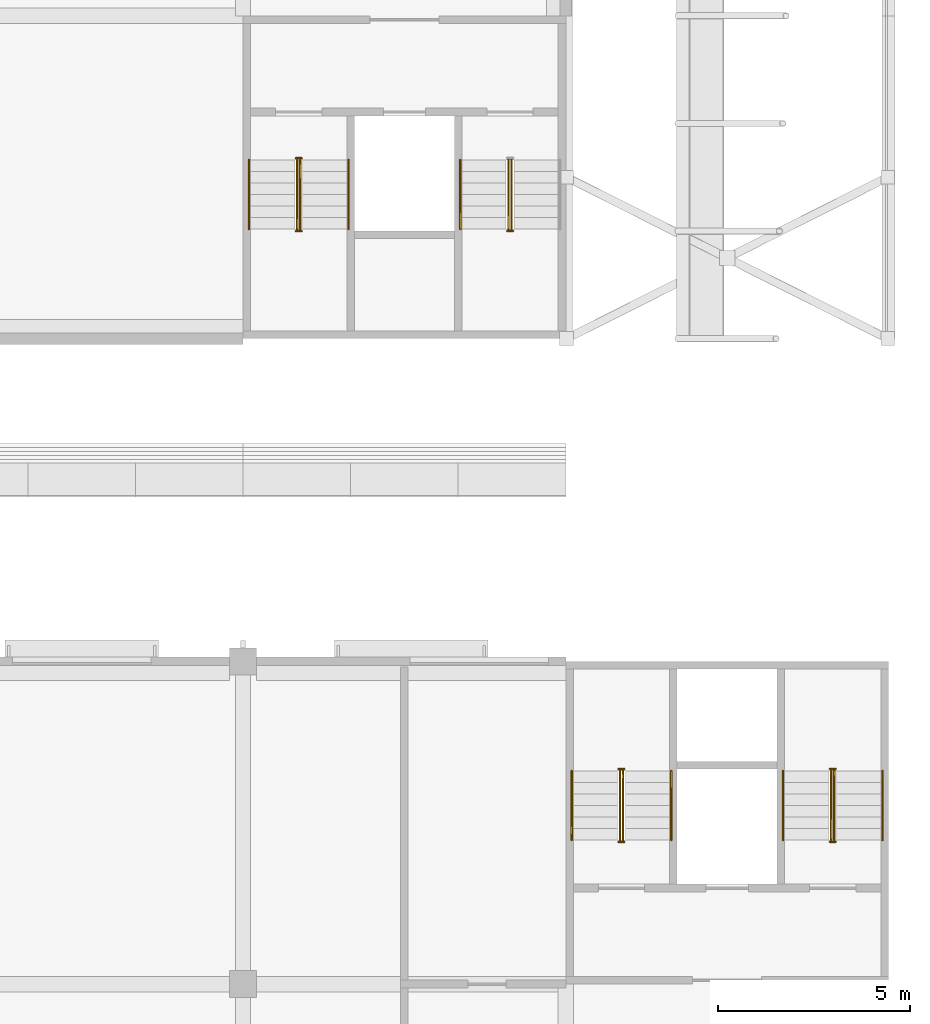
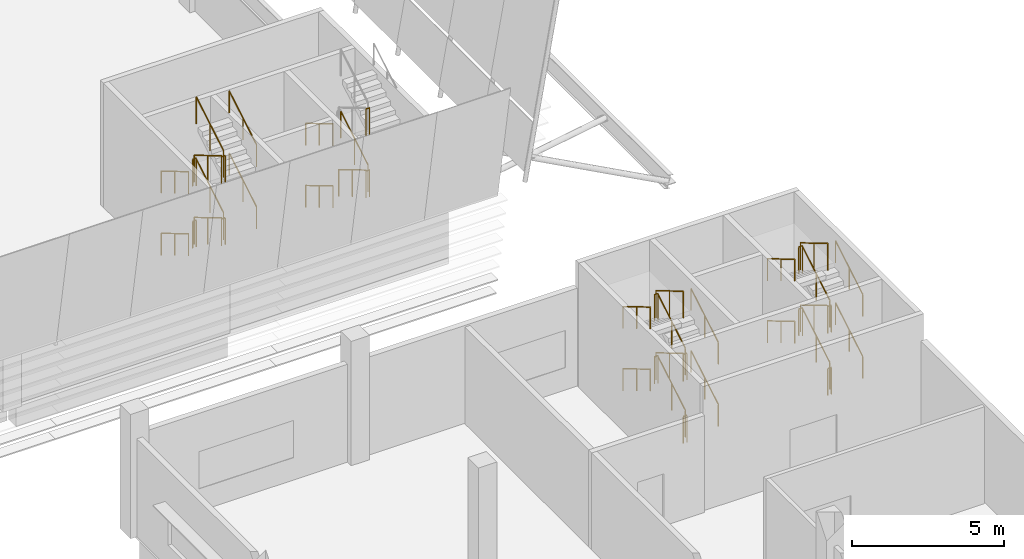
# One storey, part 77 of 82: 42 railings.
"""IFC4 building model written with IfcOpenShell, lengths in metres."""

from ifc_helpers import new_model, si_unit, direction, frame, origin, origin_2d, place, context, subcontext, project, spatial, circle, extrude, material, type_object, element, save


model = new_model("IFC4")

# Units and contexts
model_context = context("Model", 3, precision=1e-05, world=origin(), true_north=direction((0.0, 1.0)))
body_context = subcontext(model_context, "Body", "Model", "MODEL_VIEW")
ifc_project = project(units=[si_unit("LENGTHUNIT", "METRE"), si_unit("AREAUNIT", "SQUARE_METRE"), si_unit("VOLUMEUNIT", "CUBIC_METRE"), si_unit("PLANEANGLEUNIT", "RADIAN"), si_unit("MASSUNIT", "GRAM", prefix="KILO")], contexts=[model_context])

# Site, building, storey
site_placement = place(None, origin())
site = spatial("IfcSite", under=ifc_project, at=site_placement, CompositionType="ELEMENT")
building_placement = place(site_placement, origin())
building = spatial("IfcBuilding", under=site, at=building_placement, Name="Almond Square Museum", CompositionType="ELEMENT")
storey_placement = place(building_placement, frame((0.0, 0.0, 20.0)))
storey = spatial("IfcBuildingStorey", under=building, at=storey_placement, Name="L03", CompositionType="ELEMENT", Elevation=20.0)

# Railings
ifc_material_1 = material(Name="Stainless steel and laminated glass", Category="steel")
railing_type_1 = type_object("IfcRailingType", Name="Stair guard 1100 steel and glass", PredefinedType="GUARDRAIL", material=ifc_material_1)
railing_1_placement = place(storey_placement, frame((141.81005859375, 55.050048828125, 0.178466796875)))
element("IfcRailing", 1, at=railing_1_placement, inside=storey, type_object=railing_type_1, Name="L03 ST-03 stair guard 1", PredefinedType="GUARDRAIL", context=body_context, shape_type="SweptSolid", body=[
    extrude(circle(Radius=0.02392578125, at=origin_2d()), frame((0.0, 0.0, 1.076171875), z_axis=(0.0, -0.859277029364, 0.511510495305), x_axis=(1.0, 0.0, 0.0)), (0.0, 0.0, 1.0), 2.0947265625),
    extrude(circle(Radius=0.02099609375, at=origin_2d()), origin(), (0.0, 0.0, 1.0), 1.052001953125),
    extrude(circle(Radius=0.02099609375, at=origin_2d()), frame((0.0, -0.89990234375, 0.53564453125)), (0.0, 0.0, 1.0), 1.052001953125),
    extrude(circle(Radius=0.02099609375, at=origin_2d()), frame((0.0, -1.800048828125, 1.071533203125)), (0.0, 0.0, 1.0), 1.052001953125),
])
railing_2_placement = place(storey_placement, frame((141.780029296875, 53.199951171875, 1.25)))
element("IfcRailing", 2, at=railing_2_placement, inside=storey, type_object=railing_type_1, Name="L03 ST-03 stair guard 2", PredefinedType="GUARDRAIL", context=body_context, shape_type="SweptSolid", body=[
    extrude(circle(Radius=0.02392578125, at=origin_2d()), frame((0.0, 0.0, 1.076171875), z_axis=(1.0, 0.0, 0.0), x_axis=(0.0, 1.0, 0.0)), (0.0, 0.0, 1.0), 0.139892578125),
    extrude(circle(Radius=0.02099609375, at=origin_2d()), origin(), (0.0, 0.0, 1.0), 1.052001953125),
    extrude(circle(Radius=0.02099609375, at=origin_2d()), frame((0.139892578125, 0.0, 0.0)), (0.0, 0.0, 1.0), 1.052001953125),
])
railing_3_placement = place(storey_placement, frame((141.889892578125, 53.25, 1.428466796875)))
element("IfcRailing", 3, at=railing_3_placement, inside=storey, type_object=railing_type_1, Name="L03 ST-03 stair guard 3", PredefinedType="GUARDRAIL", context=body_context, shape_type="SweptSolid", body=[
    extrude(circle(Radius=0.02392578125, at=origin_2d()), frame((0.0, 0.0, 1.076171875), z_axis=(0.0, 0.859277029364, 0.511510495305), x_axis=(-1.0, 0.0, 0.0)), (0.0, 0.0, 1.0), 2.0947265625),
    extrude(circle(Radius=0.02099609375, at=origin_2d()), origin(), (0.0, 0.0, 1.0), 1.052001953125),
    extrude(circle(Radius=0.02099609375, at=origin_2d()), frame((0.0, 0.89990234375, 0.53564453125)), (0.0, 0.0, 1.0), 1.052001953125),
    extrude(circle(Radius=0.02099609375, at=origin_2d()), frame((0.0, 1.800048828125, 1.071533203125)), (0.0, 0.0, 1.0), 1.052001953125),
])
railing_4_placement = place(storey_placement, frame((141.780029296875, 55.10009765625, 2.5)))
element("IfcRailing", 4, at=railing_4_placement, inside=storey, type_object=railing_type_1, Name="L03 ST-03 stair guard 4", PredefinedType="GUARDRAIL", context=body_context, shape_type="SweptSolid", body=[
    extrude(circle(Radius=0.02392578125, at=origin_2d()), frame((0.0, 0.0, 1.076171875), z_axis=(1.0, 0.0, 0.0), x_axis=(0.0, 1.0, 0.0)), (0.0, 0.0, 1.0), 0.139892578125),
    extrude(circle(Radius=0.02099609375, at=origin_2d()), origin(), (0.0, 0.0, 1.0), 1.052001953125),
    extrude(circle(Radius=0.02099609375, at=origin_2d()), frame((0.139892578125, 0.0, 0.0)), (0.0, 0.0, 1.0), 1.052001953125),
])
railing_5_placement = place(storey_placement, frame((141.81005859375, 55.050048828125, 2.678466796875)))
element("IfcRailing", 5, at=railing_5_placement, inside=storey, type_object=railing_type_1, Name="L03 ST-03 stair guard 5", PredefinedType="GUARDRAIL", context=body_context, shape_type="SweptSolid", body=[
    extrude(circle(Radius=0.02392578125, at=origin_2d()), frame((0.0, 0.0, 1.076171875), z_axis=(0.0, -0.859277029364, 0.511510495305), x_axis=(1.0, 0.0, 0.0)), (0.0, 0.0, 1.0), 2.0947265625),
    extrude(circle(Radius=0.02099609375, at=origin_2d()), origin(), (0.0, 0.0, 1.0), 1.052001953125),
    extrude(circle(Radius=0.02099609375, at=origin_2d()), frame((0.0, -0.89990234375, 0.53564453125)), (0.0, 0.0, 1.0), 1.052001953125),
    extrude(circle(Radius=0.02099609375, at=origin_2d()), frame((0.0, -1.800048828125, 1.071533203125)), (0.0, 0.0, 1.0), 1.052001953125),
])
railing_6_placement = place(storey_placement, frame((141.780029296875, 53.199951171875, 3.75)))
element("IfcRailing", 6, at=railing_6_placement, inside=storey, type_object=railing_type_1, Name="L03 ST-03 stair guard 6", PredefinedType="GUARDRAIL", context=body_context, shape_type="SweptSolid", body=[
    extrude(circle(Radius=0.02392578125, at=origin_2d()), frame((0.0, 0.0, 1.076171875), z_axis=(1.0, 0.0, 0.0), x_axis=(0.0, 1.0, 0.0)), (0.0, 0.0, 1.0), 0.139892578125),
    extrude(circle(Radius=0.02099609375, at=origin_2d()), origin(), (0.0, 0.0, 1.0), 1.052001953125),
    extrude(circle(Radius=0.02099609375, at=origin_2d()), frame((0.139892578125, 0.0, 0.0)), (0.0, 0.0, 1.0), 1.052001953125),
])
railing_7_placement = place(storey_placement, frame((141.889892578125, 53.25, 3.928466796875)))
element("IfcRailing", 7, at=railing_7_placement, inside=storey, type_object=railing_type_1, Name="L03 ST-03 stair guard 7", PredefinedType="GUARDRAIL", context=body_context, shape_type="SweptSolid", body=[
    extrude(circle(Radius=0.02392578125, at=origin_2d()), frame((0.0, 0.0, 1.076171875), z_axis=(0.0, 0.859277029364, 0.511510495305), x_axis=(-1.0, 0.0, 0.0)), (0.0, 0.0, 1.0), 2.0947265625),
    extrude(circle(Radius=0.02099609375, at=origin_2d()), origin(), (0.0, 0.0, 1.0), 1.052001953125),
    extrude(circle(Radius=0.02099609375, at=origin_2d()), frame((0.0, 0.89990234375, 0.53564453125)), (0.0, 0.0, 1.0), 1.052001953125),
    extrude(circle(Radius=0.02099609375, at=origin_2d()), frame((0.0, 1.800048828125, 1.071533203125)), (0.0, 0.0, 1.0), 1.052001953125),
])
railing_8_placement = place(storey_placement, frame((141.780029296875, 55.10009765625, 0.0)))
element("IfcRailing", 8, at=railing_8_placement, inside=storey, type_object=railing_type_1, Name="L03 ST-03 stair guard 8", PredefinedType="GUARDRAIL", context=body_context, shape_type="SweptSolid", body=[
    extrude(circle(Radius=0.02392578125, at=origin_2d()), frame((0.0, 0.0, 1.076171875), z_axis=(1.0, 0.0, 0.0), x_axis=(0.0, 1.0, 0.0)), (0.0, 0.0, 1.0), 0.139892578125),
    extrude(circle(Radius=0.02099609375, at=origin_2d()), origin(), (0.0, 0.0, 1.0), 1.052001953125),
    extrude(circle(Radius=0.02099609375, at=origin_2d()), frame((0.139892578125, 0.0, 0.0)), (0.0, 0.0, 1.0), 1.052001953125),
])
railing_9_placement = place(storey_placement, frame((147.31005859375, 55.050048828125, 0.178466796875)))
element("IfcRailing", 9, at=railing_9_placement, inside=storey, type_object=railing_type_1, Name="L03 ST-04 stair guard 1", PredefinedType="GUARDRAIL", context=body_context, shape_type="SweptSolid", body=[
    extrude(circle(Radius=0.02392578125, at=origin_2d()), frame((0.0, 0.0, 1.076171875), z_axis=(0.0, -0.859277029364, 0.511510495305), x_axis=(1.0, 0.0, 0.0)), (0.0, 0.0, 1.0), 2.0947265625),
    extrude(circle(Radius=0.02099609375, at=origin_2d()), origin(), (0.0, 0.0, 1.0), 1.052001953125),
    extrude(circle(Radius=0.02099609375, at=origin_2d()), frame((0.0, -0.89990234375, 0.53564453125)), (0.0, 0.0, 1.0), 1.052001953125),
    extrude(circle(Radius=0.02099609375, at=origin_2d()), frame((0.0, -1.800048828125, 1.071533203125)), (0.0, 0.0, 1.0), 1.052001953125),
])
railing_10_placement = place(storey_placement, frame((147.280029296875, 53.199951171875, 1.25)))
element("IfcRailing", 10, at=railing_10_placement, inside=storey, type_object=railing_type_1, Name="L03 ST-04 stair guard 2", PredefinedType="GUARDRAIL", context=body_context, shape_type="SweptSolid", body=[
    extrude(circle(Radius=0.02392578125, at=origin_2d()), frame((0.0, 0.0, 1.076171875), z_axis=(1.0, 0.0, 0.0), x_axis=(0.0, 1.0, 0.0)), (0.0, 0.0, 1.0), 0.139892578125),
    extrude(circle(Radius=0.02099609375, at=origin_2d()), origin(), (0.0, 0.0, 1.0), 1.052001953125),
    extrude(circle(Radius=0.02099609375, at=origin_2d()), frame((0.139892578125, 0.0, 0.0)), (0.0, 0.0, 1.0), 1.052001953125),
])
railing_11_placement = place(storey_placement, frame((147.389892578125, 53.25, 1.428466796875)))
element("IfcRailing", 11, at=railing_11_placement, inside=storey, type_object=railing_type_1, Name="L03 ST-04 stair guard 3", PredefinedType="GUARDRAIL", context=body_context, shape_type="SweptSolid", body=[
    extrude(circle(Radius=0.02392578125, at=origin_2d()), frame((0.0, 0.0, 1.076171875), z_axis=(0.0, 0.859277029364, 0.511510495305), x_axis=(-1.0, 0.0, 0.0)), (0.0, 0.0, 1.0), 2.0947265625),
    extrude(circle(Radius=0.02099609375, at=origin_2d()), origin(), (0.0, 0.0, 1.0), 1.052001953125),
    extrude(circle(Radius=0.02099609375, at=origin_2d()), frame((0.0, 0.89990234375, 0.53564453125)), (0.0, 0.0, 1.0), 1.052001953125),
    extrude(circle(Radius=0.02099609375, at=origin_2d()), frame((0.0, 1.800048828125, 1.071533203125)), (0.0, 0.0, 1.0), 1.052001953125),
])
railing_12_placement = place(storey_placement, frame((147.280029296875, 53.199951171875, 3.75)))
element("IfcRailing", 12, at=railing_12_placement, inside=storey, type_object=railing_type_1, Name="L03 ST-04 stair guard 6", PredefinedType="GUARDRAIL", context=body_context, shape_type="SweptSolid", body=[
    extrude(circle(Radius=0.02392578125, at=origin_2d()), frame((0.0, 0.0, 1.076171875), z_axis=(1.0, 0.0, 0.0), x_axis=(0.0, 1.0, 0.0)), (0.0, 0.0, 1.0), 0.139892578125),
    extrude(circle(Radius=0.02099609375, at=origin_2d()), origin(), (0.0, 0.0, 1.0), 1.052001953125),
    extrude(circle(Radius=0.02099609375, at=origin_2d()), frame((0.139892578125, 0.0, 0.0)), (0.0, 0.0, 1.0), 1.052001953125),
])
railing_13_placement = place(storey_placement, frame((150.2900390625, 37.35009765625, 0.178466796875)))
element("IfcRailing", 13, at=railing_13_placement, inside=storey, type_object=railing_type_1, Name="L03 ST-33 stair guard 1", PredefinedType="GUARDRAIL", context=body_context, shape_type="SweptSolid", body=[
    extrude(circle(Radius=0.02392578125, at=origin_2d()), frame((0.0, 0.0, 1.076171875), z_axis=(0.0, 0.85924653193, 0.511561723907), x_axis=(-1.0, 0.0, 0.0)), (0.0, 0.0, 1.0), 2.0947265625),
    extrude(circle(Radius=0.02099609375, at=origin_2d()), origin(), (0.0, 0.0, 1.0), 1.052001953125),
    extrude(circle(Radius=0.02099609375, at=origin_2d()), frame((0.0, 0.89990234375, 0.53564453125)), (0.0, 0.0, 1.0), 1.052001953125),
    extrude(circle(Radius=0.02099609375, at=origin_2d()), frame((0.0, 1.7998046875, 1.071533203125)), (0.0, 0.0, 1.0), 1.052001953125),
])
railing_14_placement = place(storey_placement, frame((150.320068359375, 39.199951171875, 1.25)))
element("IfcRailing", 14, at=railing_14_placement, inside=storey, type_object=railing_type_1, Name="L03 ST-33 stair guard 2", PredefinedType="GUARDRAIL", context=body_context, shape_type="SweptSolid", body=[
    extrude(circle(Radius=0.02392578125, at=origin_2d()), frame((0.0, 0.0, 1.076171875), z_axis=(-1.0, 0.0, 0.0), x_axis=(0.0, -1.0, 0.0)), (0.0, 0.0, 1.0), 0.14013671875),
    extrude(circle(Radius=0.02099609375, at=origin_2d()), origin(), (0.0, 0.0, 1.0), 1.052001953125),
    extrude(circle(Radius=0.02099609375, at=origin_2d()), frame((-0.14013671875, 0.0, 0.0)), (0.0, 0.0, 1.0), 1.052001953125),
])
railing_15_placement = place(storey_placement, frame((150.2099609375, 39.14990234375, 1.428466796875)))
element("IfcRailing", 15, at=railing_15_placement, inside=storey, type_object=railing_type_1, Name="L03 ST-33 stair guard 3", PredefinedType="GUARDRAIL", context=body_context, shape_type="SweptSolid", body=[
    extrude(circle(Radius=0.02392578125, at=origin_2d()), frame((0.0, 0.0, 1.076171875), z_axis=(0.0, -0.85924653193, 0.511561723907), x_axis=(1.0, 0.0, 0.0)), (0.0, 0.0, 1.0), 2.0947265625),
    extrude(circle(Radius=0.02099609375, at=origin_2d()), origin(), (0.0, 0.0, 1.0), 1.052001953125),
    extrude(circle(Radius=0.02099609375, at=origin_2d()), frame((0.0, -0.89990234375, 0.53564453125)), (0.0, 0.0, 1.0), 1.052001953125),
    extrude(circle(Radius=0.02099609375, at=origin_2d()), frame((0.0, -1.7998046875, 1.071533203125)), (0.0, 0.0, 1.0), 1.052001953125),
])
railing_16_placement = place(storey_placement, frame((150.320068359375, 37.300048828125, 2.5)))
element("IfcRailing", 16, at=railing_16_placement, inside=storey, type_object=railing_type_1, Name="L03 ST-33 stair guard 4", PredefinedType="GUARDRAIL", context=body_context, shape_type="SweptSolid", body=[
    extrude(circle(Radius=0.02392578125, at=origin_2d()), frame((0.0, 0.0, 1.076171875), z_axis=(-1.0, 0.0, 0.0), x_axis=(0.0, -1.0, 0.0)), (0.0, 0.0, 1.0), 0.14013671875),
    extrude(circle(Radius=0.02099609375, at=origin_2d()), origin(), (0.0, 0.0, 1.0), 1.052001953125),
    extrude(circle(Radius=0.02099609375, at=origin_2d()), frame((-0.14013671875, 0.0, 0.0)), (0.0, 0.0, 1.0), 1.052001953125),
])
railing_17_placement = place(storey_placement, frame((150.2900390625, 37.35009765625, 2.678466796875)))
element("IfcRailing", 17, at=railing_17_placement, inside=storey, type_object=railing_type_1, Name="L03 ST-33 stair guard 5", PredefinedType="GUARDRAIL", context=body_context, shape_type="SweptSolid", body=[
    extrude(circle(Radius=0.02392578125, at=origin_2d()), frame((0.0, 0.0, 1.076171875), z_axis=(0.0, 0.85924653193, 0.511561723907), x_axis=(-1.0, 0.0, 0.0)), (0.0, 0.0, 1.0), 2.0947265625),
    extrude(circle(Radius=0.02099609375, at=origin_2d()), origin(), (0.0, 0.0, 1.0), 1.052001953125),
    extrude(circle(Radius=0.02099609375, at=origin_2d()), frame((0.0, 0.89990234375, 0.53564453125)), (0.0, 0.0, 1.0), 1.052001953125),
    extrude(circle(Radius=0.02099609375, at=origin_2d()), frame((0.0, 1.7998046875, 1.071533203125)), (0.0, 0.0, 1.0), 1.052001953125),
])
railing_18_placement = place(storey_placement, frame((150.320068359375, 39.199951171875, 3.75)))
element("IfcRailing", 18, at=railing_18_placement, inside=storey, type_object=railing_type_1, Name="L03 ST-33 stair guard 6", PredefinedType="GUARDRAIL", context=body_context, shape_type="SweptSolid", body=[
    extrude(circle(Radius=0.02392578125, at=origin_2d()), frame((0.0, 0.0, 1.076171875), z_axis=(-1.0, 0.0, 0.0), x_axis=(0.0, -1.0, 0.0)), (0.0, 0.0, 1.0), 0.14013671875),
    extrude(circle(Radius=0.02099609375, at=origin_2d()), origin(), (0.0, 0.0, 1.0), 1.052001953125),
    extrude(circle(Radius=0.02099609375, at=origin_2d()), frame((-0.14013671875, 0.0, 0.0)), (0.0, 0.0, 1.0), 1.052001953125),
])
railing_19_placement = place(storey_placement, frame((150.2099609375, 39.14990234375, 3.928466796875)))
element("IfcRailing", 19, at=railing_19_placement, inside=storey, type_object=railing_type_1, Name="L03 ST-33 stair guard 7", PredefinedType="GUARDRAIL", context=body_context, shape_type="SweptSolid", body=[
    extrude(circle(Radius=0.02392578125, at=origin_2d()), frame((0.0, 0.0, 1.076171875), z_axis=(0.0, -0.85924653193, 0.511561723907), x_axis=(1.0, 0.0, 0.0)), (0.0, 0.0, 1.0), 2.0947265625),
    extrude(circle(Radius=0.02099609375, at=origin_2d()), origin(), (0.0, 0.0, 1.0), 1.052001953125),
    extrude(circle(Radius=0.02099609375, at=origin_2d()), frame((0.0, -0.89990234375, 0.53564453125)), (0.0, 0.0, 1.0), 1.052001953125),
    extrude(circle(Radius=0.02099609375, at=origin_2d()), frame((0.0, -1.7998046875, 1.071533203125)), (0.0, 0.0, 1.0), 1.052001953125),
])
railing_20_placement = place(storey_placement, frame((150.320068359375, 37.300048828125, 0.0)))
element("IfcRailing", 20, at=railing_20_placement, inside=storey, type_object=railing_type_1, Name="L03 ST-33 stair guard 8", PredefinedType="GUARDRAIL", context=body_context, shape_type="SweptSolid", body=[
    extrude(circle(Radius=0.02392578125, at=origin_2d()), frame((0.0, 0.0, 1.076171875), z_axis=(-1.0, 0.0, 0.0), x_axis=(0.0, -1.0, 0.0)), (0.0, 0.0, 1.0), 0.14013671875),
    extrude(circle(Radius=0.02099609375, at=origin_2d()), origin(), (0.0, 0.0, 1.0), 1.052001953125),
    extrude(circle(Radius=0.02099609375, at=origin_2d()), frame((-0.14013671875, 0.0, 0.0)), (0.0, 0.0, 1.0), 1.052001953125),
])
railing_21_placement = place(storey_placement, frame((155.7900390625, 37.35009765625, 0.178466796875)))
element("IfcRailing", 21, at=railing_21_placement, inside=storey, type_object=railing_type_1, Name="L03 ST-34 stair guard 1", PredefinedType="GUARDRAIL", context=body_context, shape_type="SweptSolid", body=[
    extrude(circle(Radius=0.02392578125, at=origin_2d()), frame((0.0, 0.0, 1.076171875), z_axis=(0.0, 0.85924653193, 0.511561723907), x_axis=(-1.0, 0.0, 0.0)), (0.0, 0.0, 1.0), 2.0947265625),
    extrude(circle(Radius=0.02099609375, at=origin_2d()), origin(), (0.0, 0.0, 1.0), 1.052001953125),
    extrude(circle(Radius=0.02099609375, at=origin_2d()), frame((0.0, 0.89990234375, 0.53564453125)), (0.0, 0.0, 1.0), 1.052001953125),
    extrude(circle(Radius=0.02099609375, at=origin_2d()), frame((0.0, 1.7998046875, 1.071533203125)), (0.0, 0.0, 1.0), 1.052001953125),
])
railing_22_placement = place(storey_placement, frame((155.820068359375, 39.199951171875, 1.25)))
element("IfcRailing", 22, at=railing_22_placement, inside=storey, type_object=railing_type_1, Name="L03 ST-34 stair guard 2", PredefinedType="GUARDRAIL", context=body_context, shape_type="SweptSolid", body=[
    extrude(circle(Radius=0.02392578125, at=origin_2d()), frame((0.0, 0.0, 1.076171875), z_axis=(-1.0, 0.0, 0.0), x_axis=(0.0, -1.0, 0.0)), (0.0, 0.0, 1.0), 0.14013671875),
    extrude(circle(Radius=0.02099609375, at=origin_2d()), origin(), (0.0, 0.0, 1.0), 1.052001953125),
    extrude(circle(Radius=0.02099609375, at=origin_2d()), frame((-0.14013671875, 0.0, 0.0)), (0.0, 0.0, 1.0), 1.052001953125),
])
railing_23_placement = place(storey_placement, frame((155.7099609375, 39.14990234375, 1.428466796875)))
element("IfcRailing", 23, at=railing_23_placement, inside=storey, type_object=railing_type_1, Name="L03 ST-34 stair guard 3", PredefinedType="GUARDRAIL", context=body_context, shape_type="SweptSolid", body=[
    extrude(circle(Radius=0.02392578125, at=origin_2d()), frame((0.0, 0.0, 1.076171875), z_axis=(0.0, -0.85924653193, 0.511561723907), x_axis=(1.0, 0.0, 0.0)), (0.0, 0.0, 1.0), 2.0947265625),
    extrude(circle(Radius=0.02099609375, at=origin_2d()), origin(), (0.0, 0.0, 1.0), 1.052001953125),
    extrude(circle(Radius=0.02099609375, at=origin_2d()), frame((0.0, -0.89990234375, 0.53564453125)), (0.0, 0.0, 1.0), 1.052001953125),
    extrude(circle(Radius=0.02099609375, at=origin_2d()), frame((0.0, -1.7998046875, 1.071533203125)), (0.0, 0.0, 1.0), 1.052001953125),
])
railing_24_placement = place(storey_placement, frame((155.820068359375, 37.300048828125, 2.5)))
element("IfcRailing", 24, at=railing_24_placement, inside=storey, type_object=railing_type_1, Name="L03 ST-34 stair guard 4", PredefinedType="GUARDRAIL", context=body_context, shape_type="SweptSolid", body=[
    extrude(circle(Radius=0.02392578125, at=origin_2d()), frame((0.0, 0.0, 1.076171875), z_axis=(-1.0, 0.0, 0.0), x_axis=(0.0, -1.0, 0.0)), (0.0, 0.0, 1.0), 0.14013671875),
    extrude(circle(Radius=0.02099609375, at=origin_2d()), origin(), (0.0, 0.0, 1.0), 1.052001953125),
    extrude(circle(Radius=0.02099609375, at=origin_2d()), frame((-0.14013671875, 0.0, 0.0)), (0.0, 0.0, 1.0), 1.052001953125),
])
railing_25_placement = place(storey_placement, frame((155.7900390625, 37.35009765625, 2.678466796875)))
element("IfcRailing", 25, at=railing_25_placement, inside=storey, type_object=railing_type_1, Name="L03 ST-34 stair guard 5", PredefinedType="GUARDRAIL", context=body_context, shape_type="SweptSolid", body=[
    extrude(circle(Radius=0.02392578125, at=origin_2d()), frame((0.0, 0.0, 1.076171875), z_axis=(0.0, 0.85924653193, 0.511561723907), x_axis=(-1.0, 0.0, 0.0)), (0.0, 0.0, 1.0), 2.0947265625),
    extrude(circle(Radius=0.02099609375, at=origin_2d()), origin(), (0.0, 0.0, 1.0), 1.052001953125),
    extrude(circle(Radius=0.02099609375, at=origin_2d()), frame((0.0, 0.89990234375, 0.53564453125)), (0.0, 0.0, 1.0), 1.052001953125),
    extrude(circle(Radius=0.02099609375, at=origin_2d()), frame((0.0, 1.7998046875, 1.071533203125)), (0.0, 0.0, 1.0), 1.052001953125),
])
railing_26_placement = place(storey_placement, frame((155.820068359375, 39.199951171875, 3.75)))
element("IfcRailing", 26, at=railing_26_placement, inside=storey, type_object=railing_type_1, Name="L03 ST-34 stair guard 6", PredefinedType="GUARDRAIL", context=body_context, shape_type="SweptSolid", body=[
    extrude(circle(Radius=0.02392578125, at=origin_2d()), frame((0.0, 0.0, 1.076171875), z_axis=(-1.0, 0.0, 0.0), x_axis=(0.0, -1.0, 0.0)), (0.0, 0.0, 1.0), 0.14013671875),
    extrude(circle(Radius=0.02099609375, at=origin_2d()), origin(), (0.0, 0.0, 1.0), 1.052001953125),
    extrude(circle(Radius=0.02099609375, at=origin_2d()), frame((-0.14013671875, 0.0, 0.0)), (0.0, 0.0, 1.0), 1.052001953125),
])
railing_27_placement = place(storey_placement, frame((155.7099609375, 39.14990234375, 3.928466796875)))
element("IfcRailing", 27, at=railing_27_placement, inside=storey, type_object=railing_type_1, Name="L03 ST-34 stair guard 7", PredefinedType="GUARDRAIL", context=body_context, shape_type="SweptSolid", body=[
    extrude(circle(Radius=0.02392578125, at=origin_2d()), frame((0.0, 0.0, 1.076171875), z_axis=(0.0, -0.85924653193, 0.511561723907), x_axis=(1.0, 0.0, 0.0)), (0.0, 0.0, 1.0), 2.0947265625),
    extrude(circle(Radius=0.02099609375, at=origin_2d()), origin(), (0.0, 0.0, 1.0), 1.052001953125),
    extrude(circle(Radius=0.02099609375, at=origin_2d()), frame((0.0, -0.89990234375, 0.53564453125)), (0.0, 0.0, 1.0), 1.052001953125),
    extrude(circle(Radius=0.02099609375, at=origin_2d()), frame((0.0, -1.7998046875, 1.071533203125)), (0.0, 0.0, 1.0), 1.052001953125),
])
railing_28_placement = place(storey_placement, frame((155.820068359375, 37.300048828125, 0.0)))
element("IfcRailing", 28, at=railing_28_placement, inside=storey, type_object=railing_type_1, Name="L03 ST-34 stair guard 8", PredefinedType="GUARDRAIL", context=body_context, shape_type="SweptSolid", body=[
    extrude(circle(Radius=0.02392578125, at=origin_2d()), frame((0.0, 0.0, 1.076171875), z_axis=(-1.0, 0.0, 0.0), x_axis=(0.0, -1.0, 0.0)), (0.0, 0.0, 1.0), 0.14013671875),
    extrude(circle(Radius=0.02099609375, at=origin_2d()), origin(), (0.0, 0.0, 1.0), 1.052001953125),
    extrude(circle(Radius=0.02099609375, at=origin_2d()), frame((-0.14013671875, 0.0, 0.0)), (0.0, 0.0, 1.0), 1.052001953125),
])
ifc_material_2 = material(Name="Stainless steel", Category="steel")
railing_type_2 = type_object("IfcRailingType", Name="Stair handrail 900 steel", PredefinedType="HANDRAIL", material=ifc_material_2)
railing_29_placement = place(storey_placement, frame((140.554931640625, 55.050048828125, 0.178466796875)))
element("IfcRailing", 29, at=railing_29_placement, inside=storey, type_object=railing_type_2, Name="L03 ST-03 stair handrail 1", PredefinedType="HANDRAIL", context=body_context, shape_type="SweptSolid", body=[
    extrude(circle(Radius=0.02392578125, at=origin_2d()), frame((0.0, 0.0, 0.8759765625), z_axis=(0.0, -0.859277029364, 0.511510495305), x_axis=(1.0, 0.0, 0.0)), (0.0, 0.0, 1.0), 2.0947265625),
    extrude(circle(Radius=0.02099609375, at=origin_2d()), origin(), (0.0, 0.0, 1.0), 0.851806640625),
    extrude(circle(Radius=0.02099609375, at=origin_2d()), frame((0.0, -0.89990234375, 0.53564453125)), (0.0, 0.0, 1.0), 0.851806640625),
    extrude(circle(Radius=0.02099609375, at=origin_2d()), frame((0.0, -1.800048828125, 1.071533203125)), (0.0, 0.0, 1.0), 0.851806640625),
])
railing_30_placement = place(storey_placement, frame((143.14501953125, 53.25, 1.428466796875)))
element("IfcRailing", 30, at=railing_30_placement, inside=storey, type_object=railing_type_2, Name="L03 ST-03 stair handrail 2", PredefinedType="HANDRAIL", context=body_context, shape_type="SweptSolid", body=[
    extrude(circle(Radius=0.02392578125, at=origin_2d()), frame((0.0, 0.0, 0.8759765625), z_axis=(0.0, 0.859277029364, 0.511510495305), x_axis=(-1.0, 0.0, 0.0)), (0.0, 0.0, 1.0), 2.0947265625),
    extrude(circle(Radius=0.02099609375, at=origin_2d()), origin(), (0.0, 0.0, 1.0), 0.851806640625),
    extrude(circle(Radius=0.02099609375, at=origin_2d()), frame((0.0, 0.89990234375, 0.53564453125)), (0.0, 0.0, 1.0), 0.851806640625),
    extrude(circle(Radius=0.02099609375, at=origin_2d()), frame((0.0, 1.800048828125, 1.071533203125)), (0.0, 0.0, 1.0), 0.851806640625),
])
railing_31_placement = place(storey_placement, frame((140.554931640625, 55.050048828125, 2.678466796875)))
element("IfcRailing", 31, at=railing_31_placement, inside=storey, type_object=railing_type_2, Name="L03 ST-03 stair handrail 3", PredefinedType="HANDRAIL", context=body_context, shape_type="SweptSolid", body=[
    extrude(circle(Radius=0.02392578125, at=origin_2d()), frame((0.0, 0.0, 0.8759765625), z_axis=(0.0, -0.859277029364, 0.511510495305), x_axis=(1.0, 0.0, 0.0)), (0.0, 0.0, 1.0), 2.0947265625),
    extrude(circle(Radius=0.02099609375, at=origin_2d()), origin(), (0.0, 0.0, 1.0), 0.851806640625),
    extrude(circle(Radius=0.02099609375, at=origin_2d()), frame((0.0, -0.89990234375, 0.53564453125)), (0.0, 0.0, 1.0), 0.851806640625),
    extrude(circle(Radius=0.02099609375, at=origin_2d()), frame((0.0, -1.800048828125, 1.071533203125)), (0.0, 0.0, 1.0), 0.851806640625),
])
railing_32_placement = place(storey_placement, frame((143.14501953125, 53.25, 3.928466796875)))
element("IfcRailing", 32, at=railing_32_placement, inside=storey, type_object=railing_type_2, Name="L03 ST-03 stair handrail 4", PredefinedType="HANDRAIL", context=body_context, shape_type="SweptSolid", body=[
    extrude(circle(Radius=0.02392578125, at=origin_2d()), frame((0.0, 0.0, 0.8759765625), z_axis=(0.0, 0.859277029364, 0.511510495305), x_axis=(-1.0, 0.0, 0.0)), (0.0, 0.0, 1.0), 2.0947265625),
    extrude(circle(Radius=0.02099609375, at=origin_2d()), origin(), (0.0, 0.0, 1.0), 0.851806640625),
    extrude(circle(Radius=0.02099609375, at=origin_2d()), frame((0.0, 0.89990234375, 0.53564453125)), (0.0, 0.0, 1.0), 0.851806640625),
    extrude(circle(Radius=0.02099609375, at=origin_2d()), frame((0.0, 1.800048828125, 1.071533203125)), (0.0, 0.0, 1.0), 0.851806640625),
])
for number, where, name in (
    (33, (146.054931640625, 55.050048828125, 0.178466796875), "L03 ST-04 stair handrail 1"),
    (34, (146.054931640625, 55.050048828125, 2.678466796875), "L03 ST-04 stair handrail 3"),
):
    element("IfcRailing", number, at=place(storey_placement, frame(where)), inside=storey, type_object=railing_type_2, Name=name, PredefinedType="HANDRAIL", context=body_context, shape_type="SweptSolid", body=[
        extrude(circle(Radius=0.02392578125, at=origin_2d()), frame((0.0, 0.0, 0.8759765625), z_axis=(0.0, -0.859277029364, 0.511510495305), x_axis=(1.0, 0.0, 0.0)), (0.0, 0.0, 1.0), 2.0947265625),
        extrude(circle(Radius=0.02099609375, at=origin_2d()), origin(), (0.0, 0.0, 1.0), 0.851806640625),
        extrude(circle(Radius=0.02099609375, at=origin_2d()), frame((0.0, -0.89990234375, 0.53564453125)), (0.0, 0.0, 1.0), 0.851806640625),
        extrude(circle(Radius=0.02099609375, at=origin_2d()), frame((0.0, -1.800048828125, 1.071533203125)), (0.0, 0.0, 1.0), 0.851806640625),
    ])
railing_33_placement = place(storey_placement, frame((151.544921875, 37.35009765625, 0.178466796875)))
element("IfcRailing", 35, at=railing_33_placement, inside=storey, type_object=railing_type_2, Name="L03 ST-33 stair handrail 1", PredefinedType="HANDRAIL", context=body_context, shape_type="SweptSolid", body=[
    extrude(circle(Radius=0.02392578125, at=origin_2d()), frame((0.0, 0.0, 0.8759765625), z_axis=(0.0, 0.85924653193, 0.511561723907), x_axis=(-1.0, 0.0, 0.0)), (0.0, 0.0, 1.0), 2.0947265625),
    extrude(circle(Radius=0.02099609375, at=origin_2d()), origin(), (0.0, 0.0, 1.0), 0.851806640625),
    extrude(circle(Radius=0.02099609375, at=origin_2d()), frame((0.0, 0.89990234375, 0.53564453125)), (0.0, 0.0, 1.0), 0.851806640625),
    extrude(circle(Radius=0.02099609375, at=origin_2d()), frame((0.0, 1.7998046875, 1.071533203125)), (0.0, 0.0, 1.0), 0.851806640625),
])
railing_34_placement = place(storey_placement, frame((148.955078125, 39.14990234375, 1.428466796875)))
element("IfcRailing", 36, at=railing_34_placement, inside=storey, type_object=railing_type_2, Name="L03 ST-33 stair handrail 2", PredefinedType="HANDRAIL", context=body_context, shape_type="SweptSolid", body=[
    extrude(circle(Radius=0.02392578125, at=origin_2d()), frame((0.0, 0.0, 0.8759765625), z_axis=(0.0, -0.85924653193, 0.511561723907), x_axis=(1.0, 0.0, 0.0)), (0.0, 0.0, 1.0), 2.0947265625),
    extrude(circle(Radius=0.02099609375, at=origin_2d()), origin(), (0.0, 0.0, 1.0), 0.851806640625),
    extrude(circle(Radius=0.02099609375, at=origin_2d()), frame((0.0, -0.89990234375, 0.53564453125)), (0.0, 0.0, 1.0), 0.851806640625),
    extrude(circle(Radius=0.02099609375, at=origin_2d()), frame((0.0, -1.7998046875, 1.071533203125)), (0.0, 0.0, 1.0), 0.851806640625),
])
railing_35_placement = place(storey_placement, frame((151.544921875, 37.35009765625, 2.678466796875)))
element("IfcRailing", 37, at=railing_35_placement, inside=storey, type_object=railing_type_2, Name="L03 ST-33 stair handrail 3", PredefinedType="HANDRAIL", context=body_context, shape_type="SweptSolid", body=[
    extrude(circle(Radius=0.02392578125, at=origin_2d()), frame((0.0, 0.0, 0.8759765625), z_axis=(0.0, 0.85924653193, 0.511561723907), x_axis=(-1.0, 0.0, 0.0)), (0.0, 0.0, 1.0), 2.0947265625),
    extrude(circle(Radius=0.02099609375, at=origin_2d()), origin(), (0.0, 0.0, 1.0), 0.851806640625),
    extrude(circle(Radius=0.02099609375, at=origin_2d()), frame((0.0, 0.89990234375, 0.53564453125)), (0.0, 0.0, 1.0), 0.851806640625),
    extrude(circle(Radius=0.02099609375, at=origin_2d()), frame((0.0, 1.7998046875, 1.071533203125)), (0.0, 0.0, 1.0), 0.851806640625),
])
railing_36_placement = place(storey_placement, frame((148.955078125, 39.14990234375, 3.928466796875)))
element("IfcRailing", 38, at=railing_36_placement, inside=storey, type_object=railing_type_2, Name="L03 ST-33 stair handrail 4", PredefinedType="HANDRAIL", context=body_context, shape_type="SweptSolid", body=[
    extrude(circle(Radius=0.02392578125, at=origin_2d()), frame((0.0, 0.0, 0.8759765625), z_axis=(0.0, -0.85924653193, 0.511561723907), x_axis=(1.0, 0.0, 0.0)), (0.0, 0.0, 1.0), 2.0947265625),
    extrude(circle(Radius=0.02099609375, at=origin_2d()), origin(), (0.0, 0.0, 1.0), 0.851806640625),
    extrude(circle(Radius=0.02099609375, at=origin_2d()), frame((0.0, -0.89990234375, 0.53564453125)), (0.0, 0.0, 1.0), 0.851806640625),
    extrude(circle(Radius=0.02099609375, at=origin_2d()), frame((0.0, -1.7998046875, 1.071533203125)), (0.0, 0.0, 1.0), 0.851806640625),
])
railing_37_placement = place(storey_placement, frame((157.044921875, 37.35009765625, 0.178466796875)))
element("IfcRailing", 39, at=railing_37_placement, inside=storey, type_object=railing_type_2, Name="L03 ST-34 stair handrail 1", PredefinedType="HANDRAIL", context=body_context, shape_type="SweptSolid", body=[
    extrude(circle(Radius=0.02392578125, at=origin_2d()), frame((0.0, 0.0, 0.8759765625), z_axis=(0.0, 0.85924653193, 0.511561723907), x_axis=(-1.0, 0.0, 0.0)), (0.0, 0.0, 1.0), 2.0947265625),
    extrude(circle(Radius=0.02099609375, at=origin_2d()), origin(), (0.0, 0.0, 1.0), 0.851806640625),
    extrude(circle(Radius=0.02099609375, at=origin_2d()), frame((0.0, 0.89990234375, 0.53564453125)), (0.0, 0.0, 1.0), 0.851806640625),
    extrude(circle(Radius=0.02099609375, at=origin_2d()), frame((0.0, 1.7998046875, 1.071533203125)), (0.0, 0.0, 1.0), 0.851806640625),
])
railing_38_placement = place(storey_placement, frame((154.455078125, 39.14990234375, 1.428466796875)))
element("IfcRailing", 40, at=railing_38_placement, inside=storey, type_object=railing_type_2, Name="L03 ST-34 stair handrail 2", PredefinedType="HANDRAIL", context=body_context, shape_type="SweptSolid", body=[
    extrude(circle(Radius=0.02392578125, at=origin_2d()), frame((0.0, 0.0, 0.8759765625), z_axis=(0.0, -0.85924653193, 0.511561723907), x_axis=(1.0, 0.0, 0.0)), (0.0, 0.0, 1.0), 2.0947265625),
    extrude(circle(Radius=0.02099609375, at=origin_2d()), origin(), (0.0, 0.0, 1.0), 0.851806640625),
    extrude(circle(Radius=0.02099609375, at=origin_2d()), frame((0.0, -0.89990234375, 0.53564453125)), (0.0, 0.0, 1.0), 0.851806640625),
    extrude(circle(Radius=0.02099609375, at=origin_2d()), frame((0.0, -1.7998046875, 1.071533203125)), (0.0, 0.0, 1.0), 0.851806640625),
])
railing_39_placement = place(storey_placement, frame((157.044921875, 37.35009765625, 2.678466796875)))
element("IfcRailing", 41, at=railing_39_placement, inside=storey, type_object=railing_type_2, Name="L03 ST-34 stair handrail 3", PredefinedType="HANDRAIL", context=body_context, shape_type="SweptSolid", body=[
    extrude(circle(Radius=0.02392578125, at=origin_2d()), frame((0.0, 0.0, 0.8759765625), z_axis=(0.0, 0.85924653193, 0.511561723907), x_axis=(-1.0, 0.0, 0.0)), (0.0, 0.0, 1.0), 2.0947265625),
    extrude(circle(Radius=0.02099609375, at=origin_2d()), origin(), (0.0, 0.0, 1.0), 0.851806640625),
    extrude(circle(Radius=0.02099609375, at=origin_2d()), frame((0.0, 0.89990234375, 0.53564453125)), (0.0, 0.0, 1.0), 0.851806640625),
    extrude(circle(Radius=0.02099609375, at=origin_2d()), frame((0.0, 1.7998046875, 1.071533203125)), (0.0, 0.0, 1.0), 0.851806640625),
])
railing_40_placement = place(storey_placement, frame((154.455078125, 39.14990234375, 3.928466796875)))
element("IfcRailing", 42, at=railing_40_placement, inside=storey, type_object=railing_type_2, Name="L03 ST-34 stair handrail 4", PredefinedType="HANDRAIL", context=body_context, shape_type="SweptSolid", body=[
    extrude(circle(Radius=0.02392578125, at=origin_2d()), frame((0.0, 0.0, 0.8759765625), z_axis=(0.0, -0.85924653193, 0.511561723907), x_axis=(1.0, 0.0, 0.0)), (0.0, 0.0, 1.0), 2.0947265625),
    extrude(circle(Radius=0.02099609375, at=origin_2d()), origin(), (0.0, 0.0, 1.0), 0.851806640625),
    extrude(circle(Radius=0.02099609375, at=origin_2d()), frame((0.0, -0.89990234375, 0.53564453125)), (0.0, 0.0, 1.0), 0.851806640625),
    extrude(circle(Radius=0.02099609375, at=origin_2d()), frame((0.0, -1.7998046875, 1.071533203125)), (0.0, 0.0, 1.0), 0.851806640625),
])

save(model, "model.ifc")
